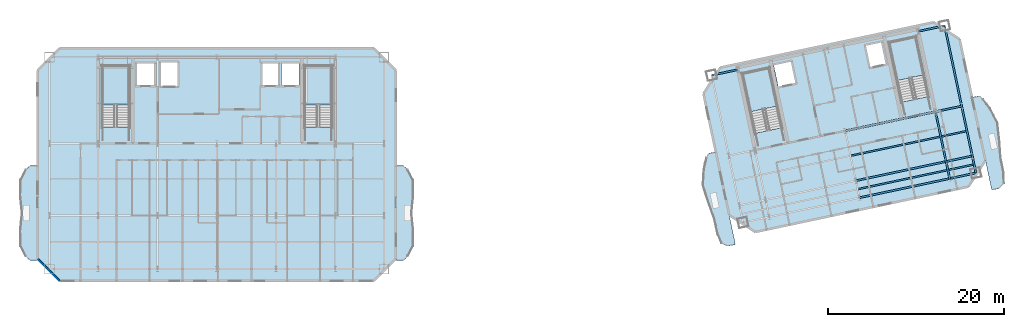
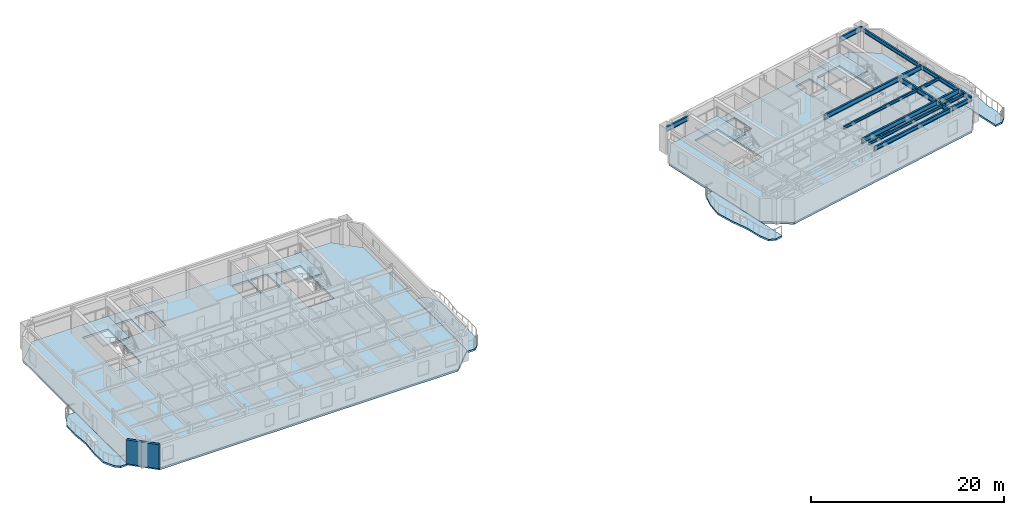
# One storey, part 4 of 14: 17 beams, 10 slabs, 1 wall, 4 elements without a shape of their own.
"""IFC4 building model written with IfcOpenShell, lengths in metres."""

from ifc_helpers import new_model, si_unit, direction, frame, frame_2d, origin, origin_2d, place, context, subcontext, project, spatial, polyline, rectangle, i_section, outline, extrude, material, layer, layer_set, material_profile, profile_set, type_object, element, aggregate, save


model = new_model("IFC4")

# Units and contexts
model_context = context("Model", 3, precision=1e-05, world=origin(), true_north=direction((0.0, 1.0)))
body_context = subcontext(model_context, "Body", "Model", "MODEL_VIEW")
ifc_project = project(units=[si_unit("LENGTHUNIT", "METRE"), si_unit("AREAUNIT", "SQUARE_METRE"), si_unit("VOLUMEUNIT", "CUBIC_METRE"), si_unit("PLANEANGLEUNIT", "RADIAN"), si_unit("MASSUNIT", "GRAM", prefix="KILO")], contexts=[model_context])

# Site, building, storey
site_placement = place(None, origin())
site = spatial("IfcSite", under=ifc_project, at=site_placement, CompositionType="ELEMENT")
building_placement = place(site_placement, origin())
building = spatial("IfcBuilding", under=site, at=building_placement, Name="Haevon Station Towers", CompositionType="ELEMENT")
storey_placement = place(building_placement, frame((0.0, 0.0, 212.10009765625)))
storey = spatial("IfcBuildingStorey", under=building, at=storey_placement, Name="L58", CompositionType="ELEMENT", Elevation=212.10009765625)

# Beams
ifc_material_1 = material(Name="Steel S355", Category="steel")
ifc_material_profile_1 = material_profile(ifc_material_1, i_section(OverallWidth=0.199951171875, OverallDepth=0.60009765625, WebThickness=0.010986328125, FlangeThickness=0.01708984375, at=origin_2d()), Name="H-600x200x11x17")
ifc_profile_set_1 = profile_set([ifc_material_profile_1], Name="Steel S355")
beam_type_1 = type_object("IfcBeamType", Name="BM-G600", PredefinedType="BEAM", material=ifc_profile_set_1)
beam_1_placement = place(storey_placement, frame((110.228759765625, 33.9521484375, 2.75), z_axis=(0.978146794194, 0.207915485254, 0.0), x_axis=(-0.207915485254, 0.978146794194, 0.0)))
element("IfcBeam", 1, at=beam_1_placement, inside=storey, type_object=beam_type_1, Name="BM-T2U-L58-02-03", PredefinedType="BEAM", context=body_context, shape_type="SweptSolid", body=[
    extrude(i_section(OverallWidth=0.199951171875, OverallDepth=0.60009765625, WebThickness=0.010986328125, FlangeThickness=0.01708984375, at=origin_2d()), origin(), (0.0, 0.0, 1.0), 10.5),
])
beam_2_placement = place(storey_placement, frame((120.499267578125, 36.13525390625, 2.75), z_axis=(0.978138503145, 0.207954487003, 0.0), x_axis=(-0.207954487003, 0.978138503145, 0.0)))
element("IfcBeam", 2, at=beam_2_placement, inside=storey, type_object=beam_type_1, Name="BM-T2U-L58-02-04", PredefinedType="BEAM", context=body_context, shape_type="SweptSolid", body=[
    extrude(i_section(OverallWidth=0.199951171875, OverallDepth=0.60009765625, WebThickness=0.010986328125, FlangeThickness=0.01708984375, at=origin_2d()), origin(), (0.0, 0.0, 1.0), 3.050048828125),
])
beam_3_placement = place(storey_placement, frame((109.02294921875, 39.62548828125, 2.75), z_axis=(0.978146794194, 0.207915485254, 0.0), x_axis=(-0.207915485254, 0.978146794194, 0.0)))
element("IfcBeam", 3, at=beam_3_placement, inside=storey, type_object=beam_type_1, Name="BM-T2U-L58-03-03", PredefinedType="BEAM", context=body_context, shape_type="SweptSolid", body=[
    extrude(i_section(OverallWidth=0.199951171875, OverallDepth=0.60009765625, WebThickness=0.010986328125, FlangeThickness=0.01708984375, at=origin_2d()), origin(), (0.0, 0.0, 1.0), 10.5),
])
for number, where, z_axis, x_axis, name in (
    (4, (119.29345703125, 41.80859375, 2.75), (0.978154782045, 0.207877902534, 0.0), (-0.207877902534, 0.978154782045, 0.0), "BM-T2U-L58-03-04"),
    (5, (93.824951171875, 45.953857421875, 2.75), (0.978138503145, 0.207954487003, 0.0), (-0.207954487003, 0.978138503145, 0.0), "BM-T2U-L58-04-01"),
    (6, (117.349365234375, 50.954345703125, 2.75), (0.978154782045, 0.207877902534, 0.0), (-0.207877902534, 0.978154782045, 0.0), "BM-T2U-L58-04-04"),
):
    element("IfcBeam", number, at=place(storey_placement, frame(where, z_axis=z_axis, x_axis=x_axis)), inside=storey, type_object=beam_type_1, Name=name, PredefinedType="BEAM", context=body_context, shape_type="SweptSolid", body=[
        extrude(i_section(OverallWidth=0.199951171875, OverallDepth=0.60009765625, WebThickness=0.010986328125, FlangeThickness=0.01708984375, at=origin_2d()), origin(), (0.0, 0.0, 1.0), 3.050048828125),
    ])
beam_4_placement = place(storey_placement, frame((120.910888671875, 34.198486328125, 2.75), z_axis=(-0.207886774674, 0.978152896492, 0.0), x_axis=(-0.978152896492, -0.207886774674, 0.0)))
element("IfcBeam", 7, at=beam_4_placement, inside=storey, type_object=beam_type_1, Name="BM-T2V-L58-04-01", PredefinedType="BEAM", context=body_context, shape_type="SweptSolid", body=[
    extrude(i_section(OverallWidth=0.199951171875, OverallDepth=0.60009765625, WebThickness=0.010986328125, FlangeThickness=0.01708984375, at=origin_2d()), origin(), (0.0, 0.0, 1.0), 1.97998046875),
])
beam_5_placement = place(storey_placement, frame((120.499267578125, 36.13525390625, 2.75), z_axis=(-0.207896009217, 0.97815093383, 0.0), x_axis=(-0.97815093383, -0.207896009217, 0.0)))
element("IfcBeam", 8, at=beam_5_placement, inside=storey, type_object=beam_type_1, Name="BM-T2V-L58-04-02", PredefinedType="BEAM", context=body_context, shape_type="SweptSolid", body=[
    extrude(i_section(OverallWidth=0.199951171875, OverallDepth=0.60009765625, WebThickness=0.010986328125, FlangeThickness=0.01708984375, at=origin_2d()), origin(), (0.0, 0.0, 1.0), 5.800048828125),
])
ifc_material_profile_2 = material_profile(ifc_material_1, i_section(OverallWidth=0.175048828125, OverallDepth=0.35009765625, WebThickness=0.007080078125, FlangeThickness=0.010986328125, at=origin_2d()), Name="H-350x175x7x11")
ifc_profile_set_2 = profile_set([ifc_material_profile_2], Name="Steel S355")
beam_type_2 = type_object("IfcBeamType", Name="BM-J350", PredefinedType="JOIST", material=ifc_profile_set_2)
beam_6_placement = place(storey_placement, frame((110.542236328125, 33.0068359375, 2.875), z_axis=(0.978150339653, 0.207898804801, 0.0), x_axis=(-0.207898804801, 0.978150339653, 0.0)))
element("IfcBeam", 9, at=beam_6_placement, inside=storey, type_object=beam_type_2, Name="BM-T2J-L58-01-03", PredefinedType="JOIST", context=body_context, shape_type="SweptSolid", body=[
    extrude(i_section(OverallWidth=0.175048828125, OverallDepth=0.35009765625, WebThickness=0.007080078125, FlangeThickness=0.010986328125, at=origin_2d()), origin(), (0.0, 0.0, 1.0), 10.280029296875),
])
beam_7_placement = place(storey_placement, frame((120.812744140625, 35.189697265625, 2.875), z_axis=(0.9781470094, 0.207914472804, 0.0), x_axis=(-0.207914472804, 0.9781470094, 0.0)))
element("IfcBeam", 10, at=beam_7_placement, inside=storey, type_object=beam_type_2, Name="BM-T2J-L58-01-04", PredefinedType="JOIST", context=body_context, shape_type="SweptSolid", body=[
    extrude(i_section(OverallWidth=0.175048828125, OverallDepth=0.35009765625, WebThickness=0.007080078125, FlangeThickness=0.010986328125, at=origin_2d()), origin(), (0.0, 0.0, 1.0), 2.829833984375),
])
beam_8_placement = place(storey_placement, frame((109.7333984375, 36.811767578125, 2.875), z_axis=(0.978150339653, 0.207898804801, 0.0), x_axis=(-0.207898804801, 0.978150339653, 0.0)))
element("IfcBeam", 11, at=beam_8_placement, inside=storey, type_object=beam_type_2, Name="BM-T2J-L58-02-03", PredefinedType="JOIST", context=body_context, shape_type="SweptSolid", body=[
    extrude(i_section(OverallWidth=0.175048828125, OverallDepth=0.35009765625, WebThickness=0.007080078125, FlangeThickness=0.010986328125, at=origin_2d()), origin(), (0.0, 0.0, 1.0), 10.280029296875),
])
beam_9_placement = place(storey_placement, frame((120.00390625, 38.994873046875, 2.875), z_axis=(0.978150738312, 0.207896929124, 0.0), x_axis=(-0.207896929124, 0.978150738312, 0.0)))
element("IfcBeam", 12, at=beam_9_placement, inside=storey, type_object=beam_type_2, Name="BM-T2J-L58-02-04", PredefinedType="JOIST", context=body_context, shape_type="SweptSolid", body=[
    extrude(i_section(OverallWidth=0.175048828125, OverallDepth=0.35009765625, WebThickness=0.007080078125, FlangeThickness=0.010986328125, at=origin_2d()), origin(), (0.0, 0.0, 1.0), 2.830078125),
])
ifc_material_profile_3 = material_profile(ifc_material_1, i_section(OverallWidth=0.199951171875, OverallDepth=0.5, WebThickness=0.010009765625, FlangeThickness=0.01611328125, at=origin_2d()), Name="H-500x200x10x16")
ifc_profile_set_3 = profile_set([ifc_material_profile_3], Name="Steel S355")
beam_type_3 = type_object("IfcBeamType", Name="BM-SP500", PredefinedType="SPANDREL", material=ifc_profile_set_3)
beam_10_placement = place(storey_placement, frame((110.640380859375, 32.015380859375, 2.7998046875), z_axis=(0.978146794194, 0.207915485254, 0.0), x_axis=(-0.207915485254, 0.978146794194, 0.0)))
element("IfcBeam", 13, at=beam_10_placement, inside=storey, type_object=beam_type_3, Name="BM-T2U-L58-01-03", PredefinedType="SPANDREL", context=body_context, shape_type="SweptSolid", body=[
    extrude(i_section(OverallWidth=0.199951171875, OverallDepth=0.5, WebThickness=0.010009765625, FlangeThickness=0.01611328125, at=origin_2d()), origin(), (0.0, 0.0, 1.0), 10.5),
])
beam_11_placement = place(storey_placement, frame((120.910888671875, 34.198486328125, 2.7998046875), z_axis=(0.978138503145, 0.207954487003, 0.0), x_axis=(-0.207954487003, 0.978138503145, 0.0)))
element("IfcBeam", 14, at=beam_11_placement, inside=storey, type_object=beam_type_3, Name="BM-T2U-L58-01-04", PredefinedType="SPANDREL", context=body_context, shape_type="SweptSolid", body=[
    extrude(i_section(OverallWidth=0.199951171875, OverallDepth=0.5, WebThickness=0.010009765625, FlangeThickness=0.01611328125, at=origin_2d()), origin(), (0.0, 0.0, 1.0), 3.050048828125),
])
beam_12_placement = place(storey_placement, frame((123.894287109375, 34.832763671875, 2.7998046875), z_axis=(-0.207886774674, 0.978152896492, 0.0), x_axis=(-0.978152896492, -0.207886774674, 0.0)))
element("IfcBeam", 15, at=beam_12_placement, inside=storey, type_object=beam_type_3, Name="BM-T2V-L58-05-01", PredefinedType="SPANDREL", context=body_context, shape_type="SweptSolid", body=[
    extrude(i_section(OverallWidth=0.199951171875, OverallDepth=0.5, WebThickness=0.010009765625, FlangeThickness=0.01611328125, at=origin_2d()), origin(), (0.0, 0.0, 1.0), 1.97998046875),
])
beam_13_placement = place(storey_placement, frame((123.482666015625, 36.76953125, 2.7998046875), z_axis=(-0.207904569273, 0.978149114438, 0.0), x_axis=(-0.978149114438, -0.207904569273, 0.0)))
element("IfcBeam", 16, at=beam_13_placement, inside=storey, type_object=beam_type_3, Name="BM-T2V-L58-05-02", PredefinedType="SPANDREL", context=body_context, shape_type="SweptSolid", body=[
    extrude(i_section(OverallWidth=0.199951171875, OverallDepth=0.5, WebThickness=0.010009765625, FlangeThickness=0.01611328125, at=origin_2d()), origin(), (0.0, 0.0, 1.0), 5.7998046875),
])
beam_14_placement = place(storey_placement, frame((122.27685546875, 42.442626953125, 2.7998046875), z_axis=(-0.207922149488, 0.978145377616, 0.0), x_axis=(-0.978145377616, -0.207922149488, 0.0)))
element("IfcBeam", 17, at=beam_14_placement, inside=storey, type_object=beam_type_3, Name="BM-T2V-L58-05-03", PredefinedType="SPANDREL", context=body_context, shape_type="SweptSolid", body=[
    extrude(i_section(OverallWidth=0.199951171875, OverallDepth=0.5, WebThickness=0.010009765625, FlangeThickness=0.01611328125, at=origin_2d()), origin(), (0.0, 0.0, 1.0), 9.35009765625),
])

# Slabs
ifc_material_2 = material(Name="Concrete C40/50", Category="concrete")
ifc_layer_1 = layer(ifc_material_2, 0.219970703125)
ifc_layer_set_1 = layer_set([ifc_layer_1], Name="Concrete C40/50")
slab_type_1 = type_object("IfcSlabType", Name="SL-BALC220", PredefinedType="FLOOR", material=ifc_layer_set_1)
slab_1_placement = place(storey_placement, frame((0.0, 0.0, -0.22021484375)))
element("IfcSlab", 18, at=slab_1_placement, inside=storey, type_object=slab_type_1, Name="Tower 1 L58 West SCALLOPED BALCONY", PredefinedType="FLOOR", context=body_context, shape_type="SweptSolid", body=[
    extrude(outline(polyline([(17.1201171875, 35.675048828125), (16.27001953125, 35.675048828125), (15.77197265625, 35.263916015625), (15.166015625, 34.09326171875), (15.11279296875, 32.341552734375), (15.273681640625, 30.27490234375), (15.11279296875, 28.20849609375), (15.166015625, 26.45654296875), (15.77197265625, 25.2861328125), (16.27001953125, 24.875), (17.1201171875, 24.875), (17.1201171875, 35.675048828125)])), origin(), (0.0, 0.0, 1.0), 0.22021484375),
])
slab_2_placement = place(storey_placement, frame((0.0, 0.0, -0.22021484375)))
element("IfcSlab", 19, at=slab_2_placement, inside=storey, type_object=slab_type_1, Name="Tower 1 L58 East SCALLOPED BALCONY", PredefinedType="FLOOR", context=body_context, shape_type="SweptSolid", body=[
    extrude(outline(polyline([(57.8798828125, 24.875), (58.72998046875, 24.875), (59.22802734375, 25.2861328125), (59.833984375, 26.45654296875), (59.88720703125, 28.20849609375), (59.726318359375, 30.27490234375), (59.88720703125, 32.341552734375), (59.833984375, 34.09326171875), (59.22802734375, 35.263916015625), (58.72998046875, 35.675048828125), (57.8798828125, 35.675048828125), (57.8798828125, 24.875)])), origin(), (0.0, 0.0, 1.0), 0.22021484375),
])
slab_3_placement = place(storey_placement, frame((0.0, 0.0, -0.22021484375)))
element("IfcSlab", 20, at=slab_3_placement, inside=storey, type_object=slab_type_1, Name="Tower 2 L58 West SCALLOPED BALCONY", PredefinedType="FLOOR", context=body_context, shape_type="SweptSolid", body=[
    extrude(outline(polyline([(94.290771484375, 37.24560546875), (93.427978515625, 37.06201171875), (93.217041015625, 36.596923828125), (92.91455078125, 35.3359375), (92.783203125, 33.51708984375), (93.359375, 31.52685546875), (94.116943359375, 29.5751953125), (94.502197265625, 27.8662109375), (94.972900390625, 26.76953125), (95.673583984375, 26.498046875), (96.5361328125, 26.681396484375), (94.290771484375, 37.24560546875)])), origin(), (0.0, 0.0, 1.0), 0.22021484375),
])
slab_4_placement = place(storey_placement, frame((0.0, 0.0, -0.22021484375)))
element("IfcSlab", 21, at=slab_4_placement, inside=storey, type_object=slab_type_1, Name="Tower 2 L58 East SCALLOPED BALCONY", PredefinedType="FLOOR", context=body_context, shape_type="SweptSolid", body=[
    extrude(outline(polyline([(125.69482421875, 32.87939453125), (126.5576171875, 33.062744140625), (127.08740234375, 33.595458984375), (127.071044921875, 34.788818359375), (126.72802734375, 36.5068359375), (126.626220703125, 38.597900390625), (126.343017578125, 40.650390625), (125.4833984375, 42.2587890625), (124.694091796875, 43.28759765625), (124.31201171875, 43.626708984375), (123.449462890625, 43.443359375), (125.69482421875, 32.87939453125)])), origin(), (0.0, 0.0, 1.0), 0.22021484375),
])

# Stair, slab
stair_type = type_object("IfcStairType", Name="STR-DL1450", PredefinedType="USERDEFINED", material=ifc_material_2)
stair_1_placement = place(storey_placement, origin())
stair_1 = element("IfcStair", 22, at=stair_1_placement, inside=storey, type_object=stair_type, Name="L58 Escape Stair ST1", ObjectType="TWO_RETURN_STAIR", PredefinedType="USERDEFINED")
ifc_layer_2 = layer(ifc_material_2, 0.199951171875)
ifc_layer_set_2 = layer_set([ifc_layer_2], Name="Concrete C40/50")
slab_type_2 = type_object("IfcSlabType", Name="SL-LND200", PredefinedType="LANDING", material=ifc_layer_set_2)
slab_5_placement = place(storey_placement, frame((0.0, 0.0, 1.449951171875)))
slab_5 = element("IfcSlab", 23, at=slab_5_placement, type_object=slab_type_2, Name="L58 ST1 Half Landing 1", PredefinedType="LANDING", context=body_context, shape_type="SweptSolid", body=[
    extrude(outline(polyline([(27.580078125, 42.56396484375), (27.580078125, 47.0), (24.47998046875, 47.0), (24.47998046875, 42.56396484375), (27.580078125, 42.56396484375)])), origin(), (0.0, 0.0, 1.0), 0.199951171875),
])
aggregate(stair_1, [slab_5])

stair_2_placement = place(storey_placement, origin())
stair_2 = element("IfcStair", 24, at=stair_2_placement, inside=storey, type_object=stair_type, Name="L58 Escape Stair ST2", ObjectType="TWO_RETURN_STAIR", PredefinedType="USERDEFINED")
slab_6_placement = place(storey_placement, frame((0.0, 0.0, 1.449951171875)))
slab_6 = element("IfcSlab", 25, at=slab_6_placement, type_object=slab_type_2, Name="L58 ST2 Half Landing 1", PredefinedType="LANDING", context=body_context, shape_type="SweptSolid", body=[
    extrude(outline(polyline([(50.6201171875, 42.56396484375), (50.6201171875, 47.0), (47.52001953125, 47.0), (47.52001953125, 42.56396484375), (50.6201171875, 42.56396484375)])), origin(), (0.0, 0.0, 1.0), 0.199951171875),
])
aggregate(stair_2, [slab_6])

stair_3_placement = place(storey_placement, origin())
stair_3 = element("IfcStair", 26, at=stair_3_placement, inside=storey, type_object=stair_type, Name="L58 Escape Stair ST3", ObjectType="TWO_RETURN_STAIR", PredefinedType="USERDEFINED")
slab_7_placement = place(storey_placement, frame((0.0, 0.0, 1.449951171875)))
slab_7 = element("IfcSlab", 27, at=slab_7_placement, type_object=slab_type_2, Name="L58 ST3 Half Landing 1", PredefinedType="LANDING", context=body_context, shape_type="SweptSolid", body=[
    extrude(outline(polyline([(101.2880859375, 42.44287109375), (100.36572265625, 46.781982421875), (97.33349609375, 46.137451171875), (98.255859375, 41.79833984375), (101.2880859375, 42.44287109375)])), origin(), (0.0, 0.0, 1.0), 0.199951171875),
])
aggregate(stair_3, [slab_7])

stair_4_placement = place(storey_placement, origin())
stair_4 = element("IfcStair", 28, at=stair_4_placement, inside=storey, type_object=stair_type, Name="L58 Escape Stair ST4", ObjectType="TWO_RETURN_STAIR", PredefinedType="USERDEFINED")
slab_8_placement = place(storey_placement, frame((0.0, 0.0, 1.449951171875)))
slab_8 = element("IfcSlab", 29, at=slab_8_placement, type_object=slab_type_2, Name="L58 ST4 Half Landing 1", PredefinedType="LANDING", context=body_context, shape_type="SweptSolid", body=[
    extrude(outline(polyline([(117.975341796875, 45.989990234375), (117.052978515625, 50.328857421875), (114.020751953125, 49.684326171875), (114.943115234375, 45.345458984375), (117.975341796875, 45.989990234375)])), origin(), (0.0, 0.0, 1.0), 0.199951171875),
])
aggregate(stair_4, [slab_8])

# Slabs
ifc_layer_3 = layer(ifc_material_2, 0.25)
ifc_layer_set_3 = layer_set([ifc_layer_3], Name="Concrete C40/50")
slab_type_3 = type_object("IfcSlabType", Name="SL-TW250", PredefinedType="FLOOR", material=ifc_layer_set_3)
slab_9_placement = place(storey_placement, frame((0.0, 0.0, -0.25)))
element("IfcSlab", 30, at=slab_9_placement, inside=storey, type_object=slab_type_3, Name="SL-T1-L58", PredefinedType="FLOOR", context=body_context, shape_type="SweptSolid", body=[
    extrude(outline(polyline([(19.625, 22.550048828125), (55.375, 22.550048828125), (57.875, 25.050048828125), (57.875, 46.5), (55.375, 49.0), (19.625, 49.0), (17.125, 46.5), (17.125, 25.050048828125), (19.625, 22.550048828125)]), holes=[polyline([(27.580078125, 40.055908203125), (27.580078125, 47.0), (24.47998046875, 47.0), (24.47998046875, 40.055908203125), (27.580078125, 40.055908203125)]), polyline([(50.6201171875, 40.055908203125), (50.6201171875, 47.0), (47.52001953125, 47.0), (47.52001953125, 40.055908203125), (50.6201171875, 40.055908203125)]), polyline([(28.300048828125, 44.699951171875), (30.5, 44.699951171875), (30.5, 47.39990234375), (28.300048828125, 47.39990234375), (28.300048828125, 44.699951171875)]), polyline([(31.050048828125, 44.60009765625), (33.14990234375, 44.60009765625), (33.14990234375, 47.5), (31.050048828125, 47.5), (31.050048828125, 44.60009765625)]), polyline([(42.60009765625, 44.699951171875), (44.60009765625, 44.699951171875), (44.60009765625, 47.39990234375), (42.60009765625, 47.39990234375), (42.60009765625, 44.699951171875)]), polyline([(44.85009765625, 44.699951171875), (46.85009765625, 44.699951171875), (46.85009765625, 47.39990234375), (44.85009765625, 47.39990234375), (44.85009765625, 44.699951171875)])]), origin(), (0.0, 0.0, 1.0), 0.25),
])
slab_10_placement = place(storey_placement, frame((0.0, 0.0, -0.25)))
element("IfcSlab", 31, at=slab_10_placement, inside=storey, type_object=slab_type_3, Name="SL-T2-L58", PredefinedType="FLOOR", context=body_context, shape_type="SweptSolid", body=[
    extrude(outline(polyline([(98.7919921875, 28.116943359375), (123.050048828125, 33.273193359375), (124.975830078125, 36.23828125), (122.037841796875, 50.0595703125), (119.07275390625, 51.985107421875), (94.814697265625, 46.828857421875), (92.88916015625, 43.86376953125), (95.826904296875, 30.04248046875), (98.7919921875, 28.116943359375)]), holes=[polyline([(101.8095703125, 39.98974609375), (100.36572265625, 46.781982421875), (97.33349609375, 46.137451171875), (98.77734375, 39.34521484375), (101.8095703125, 39.98974609375)]), polyline([(118.496826171875, 43.53662109375), (117.052978515625, 50.328857421875), (114.020751953125, 49.684326171875), (115.464599609375, 42.89208984375), (118.496826171875, 43.53662109375)]), polyline([(101.43212890625, 44.554931640625), (103.486328125, 44.99169921875), (102.9248046875, 47.632568359375), (100.870849609375, 47.196044921875), (101.43212890625, 44.554931640625)]), polyline([(111.800537109375, 46.7587890625), (113.7568359375, 47.174560546875), (113.1953125, 49.815673828125), (111.239013671875, 49.39990234375), (111.800537109375, 46.7587890625)])]), origin(), (0.0, 0.0, 1.0), 0.25),
])

# Wall
ifc_material_3 = material(Name="Precast concrete C45/55", Category="concrete")
ifc_layer_4 = layer(ifc_material_3, 0.280029296875)
ifc_layer_set_4 = layer_set([ifc_layer_4], Name="Precast concrete C45/55")
wall_type = type_object("IfcWallType", Name="WL-EXT-PIER280", PredefinedType="SOLIDWALL", material=ifc_layer_set_4)
wall_placement = place(storey_placement, frame((19.625, 22.550048828125, 0.0), z_axis=(0.0, 0.0, 1.0), x_axis=(-0.707106781187, 0.707106781187, 0.0)))
element("IfcWall", 32, at=wall_placement, inside=storey, type_object=wall_type, Name="WL-T1-L58-SWC", PredefinedType="SOLIDWALL", context=body_context, shape_type="SweptSolid", body=[
    extrude(rectangle(XDim=3.53564453125, YDim=0.280029296875, at=frame_2d((1.767822265625, 0.0))), origin(), (0.0, 0.0, 1.0), 3.02978515625),
])

save(model, "model.ifc")
